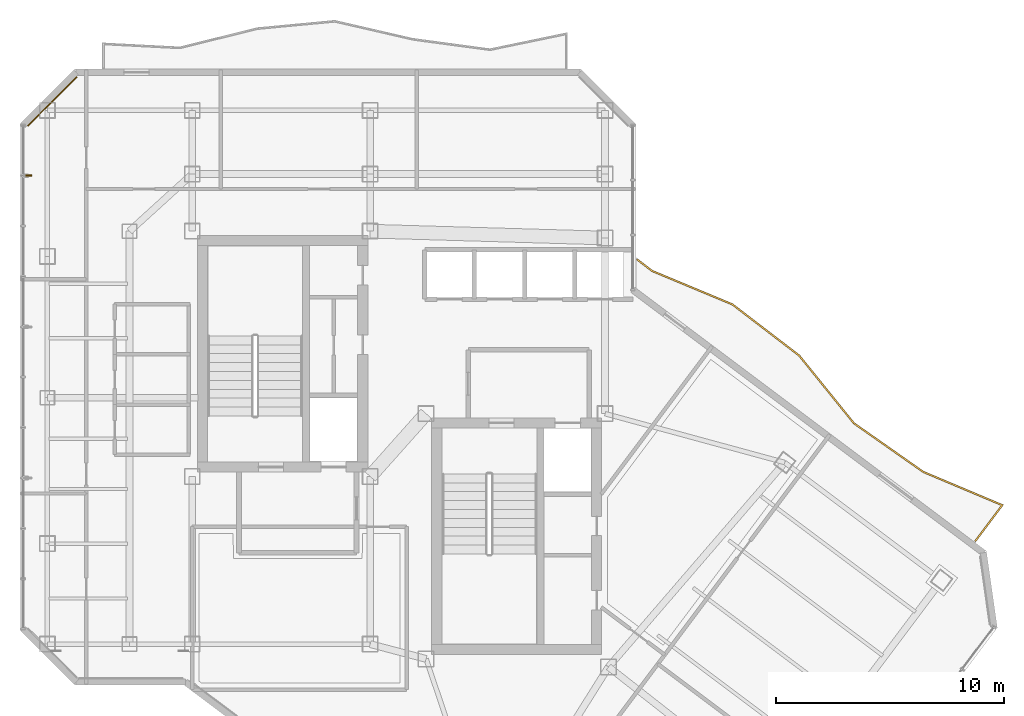
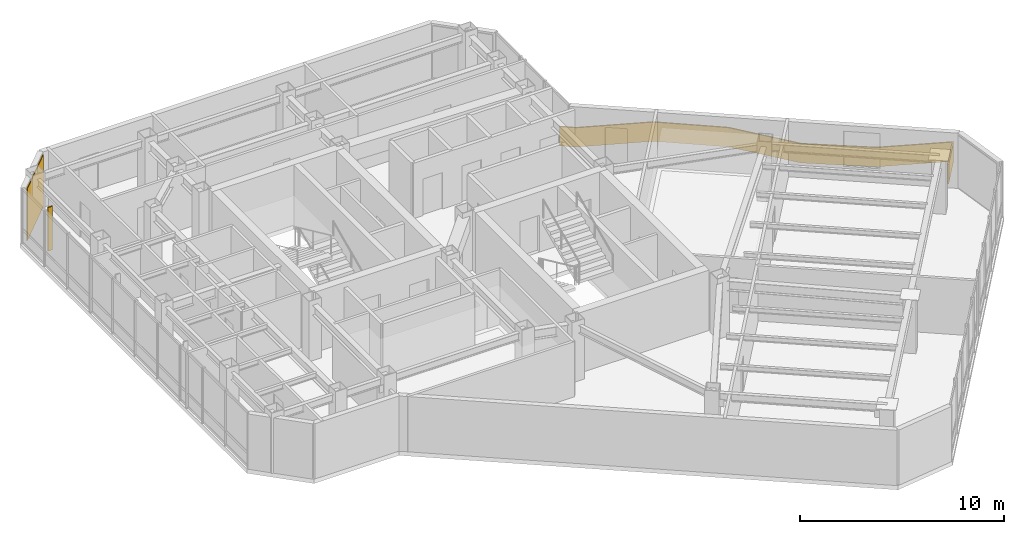
# One storey, part 24 of 25: 1 covering, 1 railing, 1 shading device.
"""IFC4 building model written with IfcOpenShell, lengths in metres."""

import ifcopenshell
import ifcopenshell.guid

model = None  # the IFC model being written
_history = None  # IfcOwnerHistory: only IFC2X3 demands one
_inside = {}  # id of a spatial element -> (the spatial element, [elements in it])
_under = {}  # id of a project, library or spatial element -> (it, [spatial elements below it])
_declared = {}  # id of a project -> (the project, [libraries it declares])
_typed = {}  # id of a type object -> (the type object, [elements of that type])
_made_of = {}  # id of a material, layer set ... -> (it, [elements and type objects made of it])


def new_model(schema):
    """Start an empty IFC model of exactly this schema.

    Asked for "IFC4X3", IfcOpenShell would pick the latest addendum, in which some entities
    have other attributes; the version numbers below select the first issue.
    IFC2X3 requires an IfcOwnerHistory on every rooted entity: one is made here for all.
    """
    global model, _history
    if schema == "IFC4X3":
        model = ifcopenshell.file(schema_version=(4, 3, 0, 0))
    else:
        model = ifcopenshell.file(schema=schema)
    _inside.clear()
    _under.clear()
    _declared.clear()
    _typed.clear()
    _made_of.clear()
    _history = None
    if model.schema == "IFC2X3":
        org = make("IfcOrganization", Name="unknown")
        user = make(
            "IfcPersonAndOrganization",
            ThePerson=make("IfcPerson", FamilyName="unknown"),
            TheOrganization=org,
        )
        app = make(
            "IfcApplication",
            ApplicationDeveloper=org,
            Version="unknown",
            ApplicationFullName="unknown",
            ApplicationIdentifier="unknown",
        )
        _history = make(
            "IfcOwnerHistory",
            OwningUser=user,
            OwningApplication=app,
            ChangeAction="ADDED",
            CreationDate=0,
        )
    return model


def make(cls, **values):
    """One entity of the class cls with the attributes given. An attribute that is None is left unset."""
    return model.create_entity(
        cls, **{name: value for name, value in values.items() if value is not None}
    )


def rooted(cls, **values):
    """An entity with a GlobalId (a new one), such as an element, a storey or a relation."""
    return make(cls, GlobalId=ifcopenshell.guid.new(), OwnerHistory=_history, **values)


def si_unit(unit_type, name, prefix=None):
    """IfcSIUnit, for example si_unit("LENGTHUNIT", "METRE", prefix="MILLI")."""
    return make("IfcSIUnit", UnitType=unit_type, Prefix=prefix, Name=name)


def assignment(units):
    """IfcUnitAssignment: the units of a project."""
    return None if units is None else make("IfcUnitAssignment", Units=units)


def point(xyz):
    """IfcCartesianPoint."""
    return None if xyz is None else make("IfcCartesianPoint", Coordinates=xyz)


def direction(xyz):
    """IfcDirection."""
    return None if xyz is None else make("IfcDirection", DirectionRatios=xyz)


def frame(location, z_axis=None, x_axis=None):
    """IfcAxis2Placement3D, a coordinate frame: its origin and axes. An axis left out is left unset."""
    return make(
        "IfcAxis2Placement3D",
        Location=point(location),
        Axis=direction(z_axis),
        RefDirection=direction(x_axis),
    )


def frame_2d(location, x_axis=None):
    """IfcAxis2Placement2D, a coordinate frame in the plane: its origin and x axis."""
    return make(
        "IfcAxis2Placement2D", Location=point(location), RefDirection=direction(x_axis)
    )


def origin():
    """The frame at (0, 0, 0) with its axes left unset."""
    return frame((0.0, 0.0, 0.0))


def origin_2d():
    """The frame at (0, 0) in the plane with its x axis left unset."""
    return frame_2d((0.0, 0.0))


def place(relative_to, where):
    """IfcLocalPlacement: puts the frame where relative to a parent placement (None: the world)."""
    return make(
        "IfcLocalPlacement", PlacementRelTo=relative_to, RelativePlacement=where
    )


def context(
    kind, dimensions, precision=None, world=None, true_north=None, identifier=None
):
    """IfcGeometricRepresentationContext, for example the 3D "Model" context."""
    return make(
        "IfcGeometricRepresentationContext",
        ContextIdentifier=identifier,
        ContextType=kind,
        CoordinateSpaceDimension=dimensions,
        Precision=precision,
        WorldCoordinateSystem=world,
        TrueNorth=true_north,
    )


def subcontext(parent, identifier, kind, view, scale=None):
    """IfcGeometricRepresentationSubContext, for example "Body" below "Model"."""
    return make(
        "IfcGeometricRepresentationSubContext",
        ContextIdentifier=identifier,
        ContextType=kind,
        ParentContext=parent,
        TargetScale=scale,
        TargetView=view,
    )


def project(units=None, contexts=None):
    """IfcProject with its units and contexts."""
    return rooted(
        "IfcProject",
        Name="project",
        RepresentationContexts=contexts,
        UnitsInContext=assignment(units),
    )


def spatial(cls, under=None, at=None, **own):
    """A site, building, storey or space (cls), placed at a placement, below another one or the project."""
    s = rooted(cls, ObjectPlacement=at, **own)
    if under is not None:
        _under.setdefault(under.id(), (under, []))[1].append(s)
    return s


def polyline(points):
    """IfcPolyline through the points."""
    return make("IfcPolyline", Points=[point(p) for p in points])


def profile(cls, at=None, kind="AREA", **sizes):
    """A parametric profile (cls). Its sizes go by their IFC names, for example OverallWidth=200.0."""
    return make(cls, ProfileType=kind, Position=at, **sizes)


def rectangle(**sizes):
    """IfcRectangleProfileDef."""
    return profile("IfcRectangleProfileDef", **sizes)


def outline(outer, holes=None, kind="AREA"):
    """IfcArbitraryClosedProfileDef: a profile drawn as a closed curve; with holes, ...WithVoids."""
    if holes is None:
        return make("IfcArbitraryClosedProfileDef", ProfileType=kind, OuterCurve=outer)
    return make(
        "IfcArbitraryProfileDefWithVoids",
        ProfileType=kind,
        OuterCurve=outer,
        InnerCurves=holes,
    )


def extrude(swept, where, along, depth):
    """IfcExtrudedAreaSolid: the profile swept, set in the frame where, extruded along a direction by depth."""
    return make(
        "IfcExtrudedAreaSolid",
        SweptArea=swept,
        Position=where,
        ExtrudedDirection=direction(along),
        Depth=depth,
    )


def shape(context_of_items, identifier, shape_type, items):
    """IfcShapeRepresentation: the items that make up one representation, for example the "Body"."""
    return make(
        "IfcShapeRepresentation",
        ContextOfItems=context_of_items,
        RepresentationIdentifier=identifier,
        RepresentationType=shape_type,
        Items=items,
    )


def material(Name=None, Category=None):
    """IfcMaterial."""
    return make("IfcMaterial", Name=Name, Category=Category)


def layer(
    of_material, thickness, ventilated=None, Name=None, Category=None, Priority=None
):
    """IfcMaterialLayer: one layer of a wall or slab, of a material (None: an air gap)."""
    return make(
        "IfcMaterialLayer",
        Material=of_material,
        LayerThickness=thickness,
        IsVentilated=ventilated,
        Name=Name,
        Category=Category,
        Priority=Priority,
    )


def layer_set(layers, Name=None):
    """IfcMaterialLayerSet."""
    return make("IfcMaterialLayerSet", MaterialLayers=layers, LayerSetName=Name)


def made_of(thing, what):
    """Note that an element or type object is made of a material, layer set ...; save() writes the relation."""
    if what is not None:
        _made_of.setdefault(what.id(), (what, []))[1].append(thing)
    return thing


def type_object(cls, material=None, **own):
    """A type object (cls), such as IfcWallType, which elements share."""
    return made_of(rooted(cls, **own), material)


def element(
    cls,
    number,
    at=None,
    inside=None,
    cuts=None,
    type_object=None,
    material=None,
    context=None,
    identifier="Body",
    shape_type=None,
    held_by="IfcProductDefinitionShape",
    body=None,
    shapes=None,
    **own,
):
    """One element of the class cls, such as IfcWall. Its Tag is "e" and its number.

    at: its placement. inside: the storey or other place that contains it. cuts: it is an
    opening in that element (IfcRelVoidsElement). A single representation is given by context,
    identifier, shape_type and body (its items); several are given by shapes. held_by: the class
    of the entity that holds the representations. save() writes the other relations.
    """
    e = rooted(cls, Tag="e%d" % number, ObjectPlacement=at, **own)
    if body is not None:
        shapes = [shape(context, identifier, shape_type, body)]
    if shapes is not None:
        e.Representation = make(held_by, Representations=shapes)
    if inside is not None:
        _inside.setdefault(inside.id(), (inside, []))[1].append(e)
    if cuts is not None:
        rooted(
            "IfcRelVoidsElement", RelatingBuildingElement=cuts, RelatedOpeningElement=e
        )
    if type_object is not None:
        _typed.setdefault(type_object.id(), (type_object, []))[1].append(e)
    return made_of(e, material)


def aggregate(whole, parts):
    """IfcRelAggregates: a whole, such as a stair, and the parts it consists of."""
    return rooted("IfcRelAggregates", RelatingObject=whole, RelatedObjects=parts)


def save(model, path):
    """Write the relations noted so far, then the file.

    IfcRelAggregates (storeys below a building ...), IfcRelContainedInSpatialStructure (elements
    in a storey), IfcRelDefinesByType, IfcRelAssociatesMaterial and IfcRelDeclares: one each for
    every whole, place, type object, material and project.
    """
    for whole, parts in _under.values():
        aggregate(whole, parts)
    for where, things in _inside.values():
        rooted(
            "IfcRelContainedInSpatialStructure",
            RelatedElements=things,
            RelatingStructure=where,
        )
    for kind, things in _typed.values():
        rooted("IfcRelDefinesByType", RelatedObjects=things, RelatingType=kind)
    for what, things in _made_of.values():
        rooted("IfcRelAssociatesMaterial", RelatedObjects=things, RelatingMaterial=what)
    for by, libraries in _declared.values():
        rooted("IfcRelDeclares", RelatingContext=by, RelatedDefinitions=libraries)
    model.write(path)


model = new_model("IFC4")

# Units and contexts
model_context = context("Model", 3, precision=1e-05, world=origin(), true_north=direction((0.0, 1.0)))
body_context = subcontext(model_context, "Body", "Model", "MODEL_VIEW")
ifc_project = project(units=[si_unit("LENGTHUNIT", "METRE"), si_unit("AREAUNIT", "SQUARE_METRE"), si_unit("VOLUMEUNIT", "CUBIC_METRE"), si_unit("PLANEANGLEUNIT", "RADIAN"), si_unit("MASSUNIT", "GRAM", prefix="KILO")], contexts=[model_context])

# Site, building, storey
site_placement = place(None, origin())
site = spatial("IfcSite", under=ifc_project, at=site_placement, CompositionType="ELEMENT")
building_placement = place(site_placement, origin())
building = spatial("IfcBuilding", under=site, at=building_placement, Name="Hatsunagi Terrace Concourse", CompositionType="ELEMENT")
storey_placement = place(building_placement, frame((0.0, 0.0, 231.14990234375)))
storey = spatial("IfcBuildingStorey", under=building, at=storey_placement, Name="L61", CompositionType="ELEMENT", Elevation=231.14990234375)

# Railing
ifc_material_1 = material(Name="Laminated Glass and Stainless Steel Guard", Category="steel")
ifc_layer_1 = layer(ifc_material_1, 0.070068359375)
ifc_layer_set_1 = layer_set([ifc_layer_1], Name="BalconyGlassGuardRail_1150")
railing_type = type_object("IfcRailingType", Name="BalconyGlassGuardRail_1150", PredefinedType="BALUSTRADE", material=ifc_layer_set_1)
railing_placement = place(storey_placement, origin())
element("IfcRailing", 1, at=railing_placement, inside=storey, type_object=railing_type, Name="Engawa Balcony Guard GRD-01 L61-BSE-1", PredefinedType="BALUSTRADE", context=body_context, shape_type="SweptSolid", body=[
    extrude(outline(polyline([(45.0673828125, 42.0908203125), (45.024658203125, 42.03515625), (45.684326171875, 41.528564453125), (49.208251953125, 40.059326171875), (52.12841796875, 37.82373046875), (54.52880859375, 34.853271484375), (57.576904296875, 32.71630859375), (61.0, 31.275146484375), (59.842041015625, 29.73095703125), (59.89794921875, 29.68896484375), (61.10986328125, 31.304931640625), (57.611083984375, 32.77783203125), (54.5771484375, 34.90478515625), (52.177490234375, 37.874267578125), (49.24365234375, 40.12060546875), (45.7197265625, 41.589599609375), (45.0673828125, 42.0908203125)])), origin(), (0.0, 0.0, 1.0), 1.150146484375),
])

# Shading device
ifc_material_2 = material(Name="Extruded Unglazed Terracotta Baguette", Category="masonry")
shading_device_type = type_object("IfcShadingDeviceType", Name="TerracottaFinScreen_260x70", PredefinedType="USERDEFINED", material=ifc_material_2)
shading_device_placement = place(storey_placement, frame((18.389892578125, 45.73388671875, 0.85009765625), z_axis=(0.0, 0.0, 1.0), x_axis=(0.0, 1.0, 0.0)))
element("IfcShadingDevice", 2, at=shading_device_placement, inside=storey, type_object=shading_device_type, Name="Terracotta Baguette Fin Screen SCR-01", ObjectType="SUNSHADE", PredefinedType="USERDEFINED", context=body_context, shape_type="SweptSolid", body=[
    extrude(rectangle(XDim=0.070068359375, YDim=0.260009765625, at=origin_2d()), origin(), (0.0, 0.0, 1.0), 2.60009765625),
])

# Covering
ifc_material_3 = material(Name="Unglazed Warm Terracotta Rainscreen Tile", Category="masonry")
ifc_layer_2 = layer(ifc_material_3, 0.044921875)
ifc_layer_set_2 = layer_set([ifc_layer_2], Name="TerracottaRainscreenCladding_45")
covering_type = type_object("IfcCoveringType", Name="TerracottaRainscreenCladding_45", PredefinedType="CLADDING", material=ifc_layer_set_2)
covering_placement = place(storey_placement, frame((19.4140625, 48.986083984375, 0.10009765625), z_axis=(0.0, 0.0, 1.0), x_axis=(0.707106781187, 0.707106781187, 0.0)))
element("IfcCovering", 3, at=covering_placement, inside=storey, type_object=covering_type, Name="Terracotta Rainscreen Cladding L61-09", PredefinedType="CLADDING", context=body_context, shape_type="SweptSolid", body=[
    extrude(rectangle(XDim=3.0380859375, YDim=0.044921875, at=origin_2d()), origin(), (0.0, 0.0, 1.0), 3.10009765625),
])

save(model, "model.ifc")
